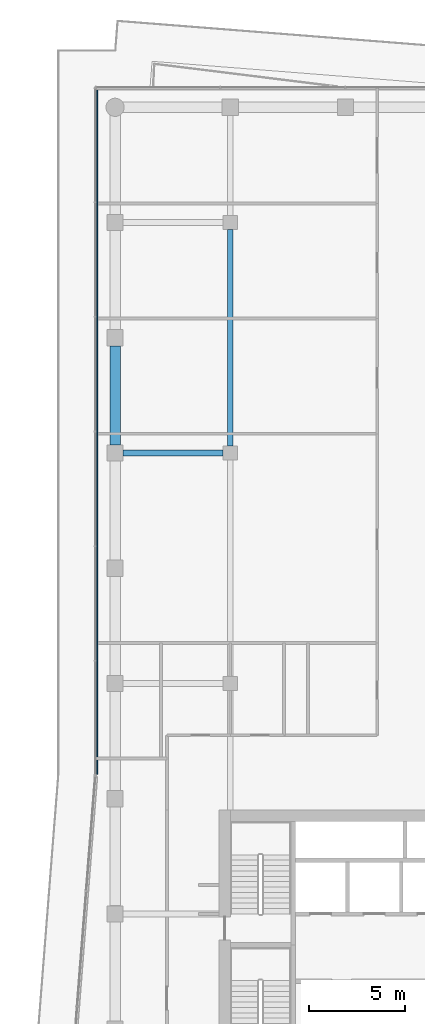
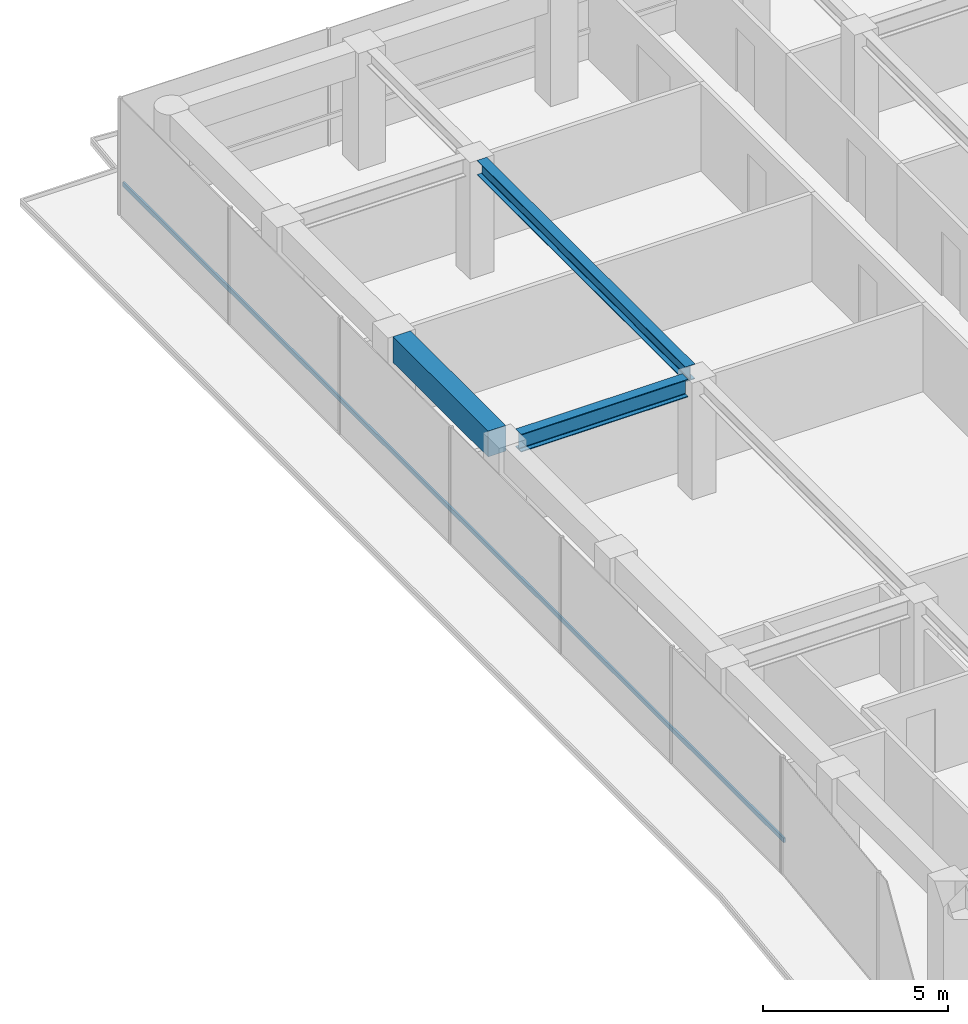
# One storey, part 11 of 22: 3 beams, 1 member, 1 element without a shape of its own.
"""IFC4 building model written with IfcOpenShell, lengths in metres."""

import ifcopenshell
import ifcopenshell.guid

model = None  # the IFC model being written
_history = None  # IfcOwnerHistory: only IFC2X3 demands one
_inside = {}  # id of a spatial element -> (the spatial element, [elements in it])
_under = {}  # id of a project, library or spatial element -> (it, [spatial elements below it])
_declared = {}  # id of a project -> (the project, [libraries it declares])
_typed = {}  # id of a type object -> (the type object, [elements of that type])
_made_of = {}  # id of a material, layer set ... -> (it, [elements and type objects made of it])


def new_model(schema):
    """Start an empty IFC model of exactly this schema.

    Asked for "IFC4X3", IfcOpenShell would pick the latest addendum, in which some entities
    have other attributes; the version numbers below select the first issue.
    IFC2X3 requires an IfcOwnerHistory on every rooted entity: one is made here for all.
    """
    global model, _history
    if schema == "IFC4X3":
        model = ifcopenshell.file(schema_version=(4, 3, 0, 0))
    else:
        model = ifcopenshell.file(schema=schema)
    _inside.clear()
    _under.clear()
    _declared.clear()
    _typed.clear()
    _made_of.clear()
    _history = None
    if model.schema == "IFC2X3":
        org = make("IfcOrganization", Name="unknown")
        user = make(
            "IfcPersonAndOrganization",
            ThePerson=make("IfcPerson", FamilyName="unknown"),
            TheOrganization=org,
        )
        app = make(
            "IfcApplication",
            ApplicationDeveloper=org,
            Version="unknown",
            ApplicationFullName="unknown",
            ApplicationIdentifier="unknown",
        )
        _history = make(
            "IfcOwnerHistory",
            OwningUser=user,
            OwningApplication=app,
            ChangeAction="ADDED",
            CreationDate=0,
        )
    return model


def make(cls, **values):
    """One entity of the class cls with the attributes given. An attribute that is None is left unset."""
    return model.create_entity(
        cls, **{name: value for name, value in values.items() if value is not None}
    )


def rooted(cls, **values):
    """An entity with a GlobalId (a new one), such as an element, a storey or a relation."""
    return make(cls, GlobalId=ifcopenshell.guid.new(), OwnerHistory=_history, **values)


def si_unit(unit_type, name, prefix=None):
    """IfcSIUnit, for example si_unit("LENGTHUNIT", "METRE", prefix="MILLI")."""
    return make("IfcSIUnit", UnitType=unit_type, Prefix=prefix, Name=name)


def assignment(units):
    """IfcUnitAssignment: the units of a project."""
    return None if units is None else make("IfcUnitAssignment", Units=units)


def point(xyz):
    """IfcCartesianPoint."""
    return None if xyz is None else make("IfcCartesianPoint", Coordinates=xyz)


def direction(xyz):
    """IfcDirection."""
    return None if xyz is None else make("IfcDirection", DirectionRatios=xyz)


def frame(location, z_axis=None, x_axis=None):
    """IfcAxis2Placement3D, a coordinate frame: its origin and axes. An axis left out is left unset."""
    return make(
        "IfcAxis2Placement3D",
        Location=point(location),
        Axis=direction(z_axis),
        RefDirection=direction(x_axis),
    )


def frame_2d(location, x_axis=None):
    """IfcAxis2Placement2D, a coordinate frame in the plane: its origin and x axis."""
    return make(
        "IfcAxis2Placement2D", Location=point(location), RefDirection=direction(x_axis)
    )


def origin():
    """The frame at (0, 0, 0) with its axes left unset."""
    return frame((0.0, 0.0, 0.0))


def origin_2d():
    """The frame at (0, 0) in the plane with its x axis left unset."""
    return frame_2d((0.0, 0.0))


def place(relative_to, where):
    """IfcLocalPlacement: puts the frame where relative to a parent placement (None: the world)."""
    return make(
        "IfcLocalPlacement", PlacementRelTo=relative_to, RelativePlacement=where
    )


def context(
    kind, dimensions, precision=None, world=None, true_north=None, identifier=None
):
    """IfcGeometricRepresentationContext, for example the 3D "Model" context."""
    return make(
        "IfcGeometricRepresentationContext",
        ContextIdentifier=identifier,
        ContextType=kind,
        CoordinateSpaceDimension=dimensions,
        Precision=precision,
        WorldCoordinateSystem=world,
        TrueNorth=true_north,
    )


def subcontext(parent, identifier, kind, view, scale=None):
    """IfcGeometricRepresentationSubContext, for example "Body" below "Model"."""
    return make(
        "IfcGeometricRepresentationSubContext",
        ContextIdentifier=identifier,
        ContextType=kind,
        ParentContext=parent,
        TargetScale=scale,
        TargetView=view,
    )


def project(units=None, contexts=None):
    """IfcProject with its units and contexts."""
    return rooted(
        "IfcProject",
        Name="project",
        RepresentationContexts=contexts,
        UnitsInContext=assignment(units),
    )


def spatial(cls, under=None, at=None, **own):
    """A site, building, storey or space (cls), placed at a placement, below another one or the project."""
    s = rooted(cls, ObjectPlacement=at, **own)
    if under is not None:
        _under.setdefault(under.id(), (under, []))[1].append(s)
    return s


def profile(cls, at=None, kind="AREA", **sizes):
    """A parametric profile (cls). Its sizes go by their IFC names, for example OverallWidth=200.0."""
    return make(cls, ProfileType=kind, Position=at, **sizes)


def rectangle(**sizes):
    """IfcRectangleProfileDef."""
    return profile("IfcRectangleProfileDef", **sizes)


def i_section(**sizes):
    """IfcIShapeProfileDef."""
    return profile("IfcIShapeProfileDef", **sizes)


def extrude(swept, where, along, depth):
    """IfcExtrudedAreaSolid: the profile swept, set in the frame where, extruded along a direction by depth."""
    return make(
        "IfcExtrudedAreaSolid",
        SweptArea=swept,
        Position=where,
        ExtrudedDirection=direction(along),
        Depth=depth,
    )


def shape(context_of_items, identifier, shape_type, items):
    """IfcShapeRepresentation: the items that make up one representation, for example the "Body"."""
    return make(
        "IfcShapeRepresentation",
        ContextOfItems=context_of_items,
        RepresentationIdentifier=identifier,
        RepresentationType=shape_type,
        Items=items,
    )


def material(Name=None, Category=None):
    """IfcMaterial."""
    return make("IfcMaterial", Name=Name, Category=Category)


def layer(
    of_material, thickness, ventilated=None, Name=None, Category=None, Priority=None
):
    """IfcMaterialLayer: one layer of a wall or slab, of a material (None: an air gap)."""
    return make(
        "IfcMaterialLayer",
        Material=of_material,
        LayerThickness=thickness,
        IsVentilated=ventilated,
        Name=Name,
        Category=Category,
        Priority=Priority,
    )


def layer_set(layers, Name=None):
    """IfcMaterialLayerSet."""
    return make("IfcMaterialLayerSet", MaterialLayers=layers, LayerSetName=Name)


def material_profile(
    of_material, cross_section, Name=None, Category=None, Priority=None
):
    """IfcMaterialProfile: a cross section and its material."""
    return make(
        "IfcMaterialProfile",
        Name=Name,
        Material=of_material,
        Profile=cross_section,
        Priority=Priority,
        Category=Category,
    )


def profile_set(profiles, Name=None, composite=None):
    """IfcMaterialProfileSet."""
    return make(
        "IfcMaterialProfileSet",
        Name=Name,
        MaterialProfiles=profiles,
        CompositeProfile=composite,
    )


def made_of(thing, what):
    """Note that an element or type object is made of a material, layer set ...; save() writes the relation."""
    if what is not None:
        _made_of.setdefault(what.id(), (what, []))[1].append(thing)
    return thing


def type_object(cls, material=None, **own):
    """A type object (cls), such as IfcWallType, which elements share."""
    return made_of(rooted(cls, **own), material)


def element(
    cls,
    number,
    at=None,
    inside=None,
    cuts=None,
    type_object=None,
    material=None,
    context=None,
    identifier="Body",
    shape_type=None,
    held_by="IfcProductDefinitionShape",
    body=None,
    shapes=None,
    **own,
):
    """One element of the class cls, such as IfcWall. Its Tag is "e" and its number.

    at: its placement. inside: the storey or other place that contains it. cuts: it is an
    opening in that element (IfcRelVoidsElement). A single representation is given by context,
    identifier, shape_type and body (its items); several are given by shapes. held_by: the class
    of the entity that holds the representations. save() writes the other relations.
    """
    e = rooted(cls, Tag="e%d" % number, ObjectPlacement=at, **own)
    if body is not None:
        shapes = [shape(context, identifier, shape_type, body)]
    if shapes is not None:
        e.Representation = make(held_by, Representations=shapes)
    if inside is not None:
        _inside.setdefault(inside.id(), (inside, []))[1].append(e)
    if cuts is not None:
        rooted(
            "IfcRelVoidsElement", RelatingBuildingElement=cuts, RelatedOpeningElement=e
        )
    if type_object is not None:
        _typed.setdefault(type_object.id(), (type_object, []))[1].append(e)
    return made_of(e, material)


def aggregate(whole, parts):
    """IfcRelAggregates: a whole, such as a stair, and the parts it consists of."""
    return rooted("IfcRelAggregates", RelatingObject=whole, RelatedObjects=parts)


def save(model, path):
    """Write the relations noted so far, then the file.

    IfcRelAggregates (storeys below a building ...), IfcRelContainedInSpatialStructure (elements
    in a storey), IfcRelDefinesByType, IfcRelAssociatesMaterial and IfcRelDeclares: one each for
    every whole, place, type object, material and project.
    """
    for whole, parts in _under.values():
        aggregate(whole, parts)
    for where, things in _inside.values():
        rooted(
            "IfcRelContainedInSpatialStructure",
            RelatedElements=things,
            RelatingStructure=where,
        )
    for kind, things in _typed.values():
        rooted("IfcRelDefinesByType", RelatedObjects=things, RelatingType=kind)
    for what, things in _made_of.values():
        rooted("IfcRelAssociatesMaterial", RelatedObjects=things, RelatingMaterial=what)
    for by, libraries in _declared.values():
        rooted("IfcRelDeclares", RelatingContext=by, RelatedDefinitions=libraries)
    model.write(path)


model = new_model("IFC4")

# Units and contexts
model_context = context("Model", 3, precision=1e-05, world=origin(), true_north=direction((0.0, 1.0)))
body_context = subcontext(model_context, "Body", "Model", "MODEL_VIEW")
ifc_project = project(units=[si_unit("LENGTHUNIT", "METRE"), si_unit("AREAUNIT", "SQUARE_METRE"), si_unit("VOLUMEUNIT", "CUBIC_METRE"), si_unit("PLANEANGLEUNIT", "RADIAN"), si_unit("MASSUNIT", "GRAM", prefix="KILO")], contexts=[model_context])

# Site, building, storey
site_placement = place(None, origin())
site = spatial("IfcSite", under=ifc_project, at=site_placement, CompositionType="ELEMENT")
building_placement = place(site_placement, origin())
building = spatial("IfcBuilding", under=site, at=building_placement, Name="Welwitschia Terrace Campus", CompositionType="ELEMENT")
storey_placement = place(building_placement, frame((0.0, 0.0, 150.800048828125)))
storey = spatial("IfcBuildingStorey", under=building, at=storey_placement, Name="L33", CompositionType="ELEMENT", Elevation=150.800048828125)

# Beams
ifc_material_1 = material(Name="Steel S355", Category="steel")
ifc_material_profile_1 = material_profile(ifc_material_1, i_section(OverallWidth=0.300048828125, OverallDepth=0.489990234375, WebThickness=0.011962890625, FlangeThickness=0.02294921875, FilletRadius=0.027099609375, at=origin_2d()))
ifc_profile_set_1 = profile_set([ifc_material_profile_1], Name="Steel S355")
beam_type_1 = type_object("IfcBeamType", Name="Interior girder HE 500 A", PredefinedType="BEAM", material=ifc_profile_set_1)
beam_1_placement = place(storey_placement, frame((6.0, 44.37548828125, 3.60498046875), z_axis=(0.0, 1.0, 0.0), x_axis=(-1.0, 0.0, 0.0)))
element("IfcBeam", 1, at=beam_1_placement, inside=storey, type_object=beam_type_1, Name="Girder GB4", PredefinedType="BEAM", context=body_context, shape_type="SweptSolid", body=[
    extrude(i_section(OverallWidth=0.300048828125, OverallDepth=0.489990234375, WebThickness=0.011962890625, FlangeThickness=0.02294921875, FilletRadius=0.027099609375, at=origin_2d()), origin(), (0.0, 0.0, 1.0), 11.2490234375),
])
ifc_material_2 = material(Name="Steel S355", Category="steel")
ifc_material_profile_2 = material_profile(ifc_material_2, i_section(OverallWidth=0.300048828125, OverallDepth=0.590087890625, WebThickness=0.012939453125, FlangeThickness=0.02490234375, FilletRadius=0.027099609375, at=origin_2d()))
ifc_profile_set_2 = profile_set([ifc_material_profile_2], Name="Steel S355")
beam_type_2 = type_object("IfcBeamType", Name="Primary beam HE 600 A", PredefinedType="BEAM", material=ifc_profile_set_2)
beam_2_placement = place(storey_placement, frame((0.425537109375, 44.0, 3.554931640625), z_axis=(1.0, 0.0, 0.0), x_axis=(0.0, 1.0, 0.0)))
element("IfcBeam", 2, at=beam_2_placement, inside=storey, type_object=beam_type_2, Name="Primary beam PB4", PredefinedType="BEAM", context=body_context, shape_type="SweptSolid", body=[
    extrude(i_section(OverallWidth=0.300048828125, OverallDepth=0.590087890625, WebThickness=0.012939453125, FlangeThickness=0.02490234375, FilletRadius=0.027099609375, at=origin_2d()), origin(), (0.0, 0.0, 1.0), 5.198974609375),
])
ifc_material_3 = material(Name="Concrete C50/60", Category="concrete")
ifc_material_profile_3 = material_profile(ifc_material_3, rectangle(XDim=0.550048828125, YDim=0.85009765625, at=origin_2d()))
ifc_profile_set_3 = profile_set([ifc_material_profile_3], Name="Concrete C50/60")
beam_type_3 = type_object("IfcBeamType", Name="Ring spandrel 550x850", PredefinedType="SPANDREL", material=ifc_profile_set_3)
beam_3_placement = place(storey_placement, frame((0.0, 49.574462890625, 3.425048828125), z_axis=(0.0, -1.0, 0.0), x_axis=(1.0, 0.0, 0.0)))
element("IfcBeam", 3, at=beam_3_placement, inside=storey, type_object=beam_type_3, Name="Spandrel SP3", PredefinedType="SPANDREL", context=body_context, shape_type="SweptSolid", body=[
    extrude(rectangle(XDim=0.550048828125, YDim=0.85009765625, at=origin_2d()), origin(), (0.0, 0.0, 1.0), 5.14892578125),
])

# Curtain wall, member
ifc_material_4 = material(Name="Bronze anodised aluminium", Category="aluminium")
ifc_layer = layer(ifc_material_4, 0.1201171875)
ifc_layer_set = layer_set([ifc_layer], Name="Bronze anodised aluminium")
curtain_wall_type = type_object("IfcCurtainWallType", Name="Curtain wall CW2 tower 6000", PredefinedType="NOTDEFINED", material=ifc_layer_set)
curtain_wall_placement = place(storey_placement, origin())
curtain_wall = element("IfcCurtainWall", 4, at=curtain_wall_placement, inside=storey, type_object=curtain_wall_type, Name="CW L33.0.0", PredefinedType="NOTDEFINED")
ifc_material_5 = material(Name="Bronze anodised aluminium", Category="aluminium")
ifc_material_profile_4 = material_profile(ifc_material_5, rectangle(XDim=0.06005859375, YDim=0.14990234375, at=origin_2d()))
ifc_profile_set_4 = profile_set([ifc_material_profile_4], Name="Bronze anodised aluminium")
member_type = type_object("IfcMemberType", Name="Transom 60x150", PredefinedType="USERDEFINED", material=ifc_profile_set_4)
member_placement = place(storey_placement, frame((-0.93994140625, 62.969970703125, 1.0), z_axis=(0.0, -1.0, 0.0), x_axis=(1.0, 0.0, 0.0)))
member = element("IfcMember", 5, at=member_placement, type_object=member_type, Name="Transom L33.0.0", ObjectType="TRANSOM", PredefinedType="USERDEFINED", context=body_context, shape_type="SweptSolid", body=[
    extrude(rectangle(XDim=0.06005859375, YDim=0.14990234375, at=origin_2d()), origin(), (0.0, 0.0, 1.0), 35.70458984375),
])
aggregate(curtain_wall, [member])

save(model, "model.ifc")
